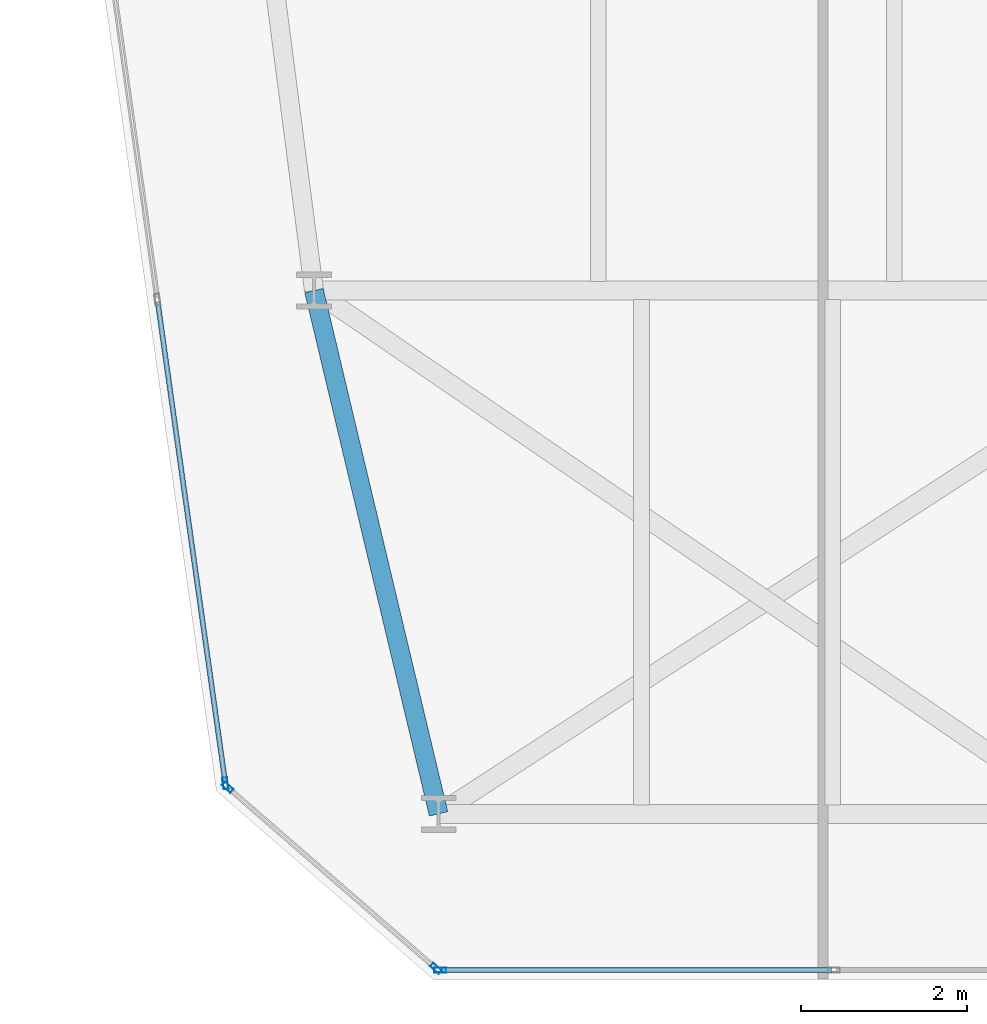
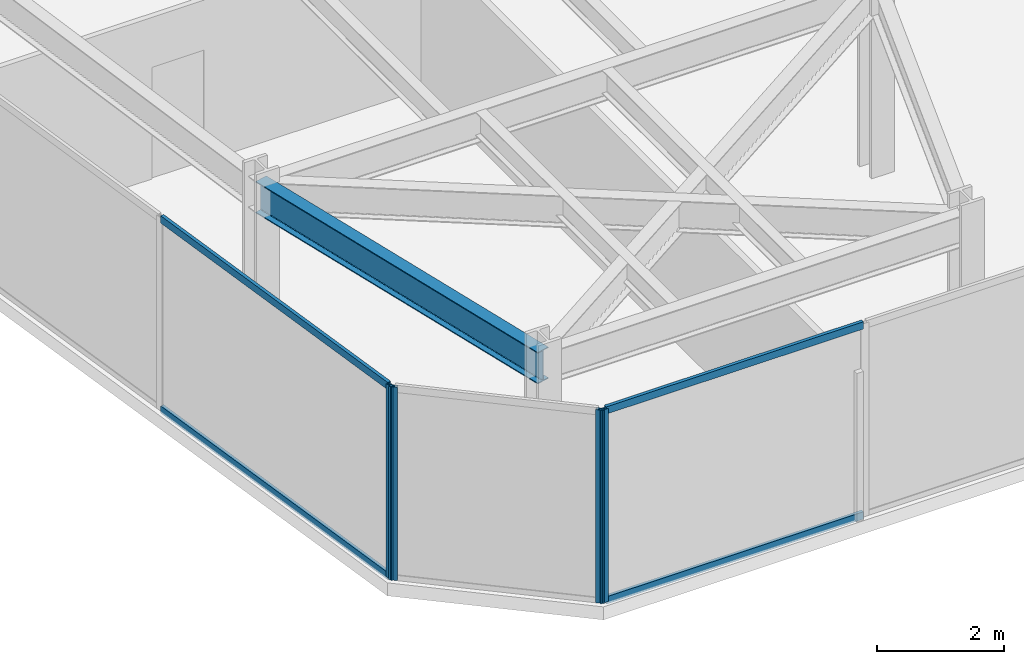
# One storey, part 2 of 26: 8 members, 1 beam, 3 elements without a shape of their own.
"""IFC4 building model written with IfcOpenShell, lengths in metres."""

from ifc_helpers import new_model, si_unit, direction, frame, origin, origin_2d, place, context, subcontext, project, spatial, hollow_rectangle, i_section, extrude, material, layer, layer_set, material_profile, profile_set, type_object, element, aggregate, save


model = new_model("IFC4")

# Units and contexts
model_context = context("Model", 3, precision=1e-05, world=origin(), true_north=direction((0.0, 1.0)))
body_context = subcontext(model_context, "Body", "Model", "MODEL_VIEW")
ifc_project = project(units=[si_unit("LENGTHUNIT", "METRE"), si_unit("AREAUNIT", "SQUARE_METRE"), si_unit("VOLUMEUNIT", "CUBIC_METRE"), si_unit("PLANEANGLEUNIT", "RADIAN"), si_unit("MASSUNIT", "GRAM", prefix="KILO")], contexts=[model_context])

# Site, building, storey
site_placement = place(None, origin())
site = spatial("IfcSite", under=ifc_project, at=site_placement, CompositionType="ELEMENT")
building_placement = place(site_placement, origin())
building = spatial("IfcBuilding", under=site, at=building_placement, Name="Kravanh Interchange Tower", CompositionType="ELEMENT")
storey_placement = place(building_placement, frame((0.0, 0.0, 152.0)))
storey = spatial("IfcBuildingStorey", under=building, at=storey_placement, Name="L36", CompositionType="ELEMENT", Elevation=152.0)

# Curtain wall, member
ifc_material_1 = material(Name="Anodised Bronze Aluminium", Category="aluminium")
ifc_layer = layer(ifc_material_1, 0.179931640625)
ifc_layer_set = layer_set([ifc_layer], Name="Unitised Curtain Wall System CW-Z2 Mid Office")
curtain_wall_type = type_object("IfcCurtainWallType", Name="Unitised Curtain Wall System CW-Z2 Mid Office", PredefinedType="NOTDEFINED", material=ifc_layer_set)
curtain_wall_1_placement = place(storey_placement, origin())
curtain_wall_1 = element("IfcCurtainWall", 1, at=curtain_wall_1_placement, inside=storey, type_object=curtain_wall_type, Name="L36 Unitised Curtain Wall CW-L36-01", PredefinedType="NOTDEFINED")
ifc_material_2 = material(Name="Anodised Bronze Aluminium", Category="aluminium")
ifc_material_profile_1 = material_profile(ifc_material_2, hollow_rectangle(XDim=0.06005859375, YDim=0.139892578125, WallThickness=0.00390625, at=origin_2d()), Name="ALU60X140X4")
ifc_profile_set_1 = profile_set([ifc_material_profile_1], Name="Anodised Bronze Aluminium")
member_type_1 = type_object("IfcMemberType", Name="Curtain Wall Mullion ALU60X140X4 Bronze", PredefinedType="MULLION", material=ifc_profile_set_1)
member_1_placement = place(storey_placement, frame((14.93310546875, 8.568359375, 0.0), z_axis=(0.0, 0.0, 1.0), x_axis=(-0.990268103846, -0.13917285118, 0.0)))
member_1 = element("IfcMember", 2, at=member_1_placement, type_object=member_type_1, Name="CW-Z2 mullion 1", PredefinedType="MULLION", context=body_context, shape_type="SweptSolid", body=[
    extrude(hollow_rectangle(XDim=0.06005859375, YDim=0.139892578125, WallThickness=0.00390625, at=origin_2d()), origin(), (0.0, 0.0, 1.0), 3.719970703125),
])

curtain_wall_2_placement = place(storey_placement, origin())
curtain_wall_2 = element("IfcCurtainWall", 3, at=curtain_wall_2_placement, inside=storey, type_object=curtain_wall_type, Name="L36 Unitised Curtain Wall CW-L36-06", PredefinedType="NOTDEFINED")
member_2_placement = place(storey_placement, frame((17.519775390625, 6.320068359375, 0.0), z_axis=(0.0, 0.0, 1.0), x_axis=(0.0, -1.0, 0.0)))
member_2 = element("IfcMember", 4, at=member_2_placement, type_object=member_type_1, Name="CW-Z2 mullion 3", PredefinedType="MULLION", context=body_context, shape_type="SweptSolid", body=[
    extrude(hollow_rectangle(XDim=0.06005859375, YDim=0.139892578125, WallThickness=0.00390625, at=origin_2d()), origin(), (0.0, 0.0, 1.0), 3.719970703125),
])

# Curtain wall, members
curtain_wall_3_placement = place(storey_placement, origin())
curtain_wall_3 = element("IfcCurtainWall", 5, at=curtain_wall_3_placement, inside=storey, type_object=curtain_wall_type, Name="L36 Unitised Curtain Wall CW-L36-07", PredefinedType="NOTDEFINED")
member_3_placement = place(storey_placement, frame((17.467041015625, 6.339599609375, 0.0), z_axis=(0.0, 0.0, 1.0), x_axis=(-0.656047665617, -0.754719458103, 0.0)))
member_3 = element("IfcMember", 6, at=member_3_placement, type_object=member_type_1, Name="CW-Z2 mullion 1", PredefinedType="MULLION", context=body_context, shape_type="SweptSolid", body=[
    extrude(hollow_rectangle(XDim=0.06005859375, YDim=0.139892578125, WallThickness=0.00390625, at=origin_2d()), origin(), (0.0, 0.0, 1.0), 3.719970703125),
])
member_4_placement = place(storey_placement, frame((14.9599609375, 8.51904296875, 0.0), z_axis=(0.0, 0.0, 1.0), x_axis=(-0.656047665617, -0.754719458103, 0.0)))
member_4 = element("IfcMember", 7, at=member_4_placement, type_object=member_type_1, Name="CW-Z2 mullion 2", PredefinedType="MULLION", context=body_context, shape_type="SweptSolid", body=[
    extrude(hollow_rectangle(XDim=0.06005859375, YDim=0.139892578125, WallThickness=0.00390625, at=origin_2d()), origin(), (0.0, 0.0, 1.0), 3.719970703125),
])
aggregate(curtain_wall_3, [member_3, member_4])

# Member
ifc_material_3 = material(Name="Anodised Bronze Aluminium", Category="aluminium")
ifc_material_profile_2 = material_profile(ifc_material_3, hollow_rectangle(XDim=0.06005859375, YDim=0.139892578125, WallThickness=0.00390625, at=origin_2d()), Name="ALU60X140X4")
ifc_profile_set_2 = profile_set([ifc_material_profile_2], Name="Anodised Bronze Aluminium")
member_type_2 = type_object("IfcMemberType", Name="Curtain Wall Transom ALU60X140X4 Bronze", PredefinedType="USERDEFINED", material=ifc_profile_set_2)
member_5_placement = place(storey_placement, frame((14.928955078125, 8.59814453125, 0.030029296875), z_axis=(-0.139148132783, 0.990271577469, 0.0), x_axis=(-0.990271577469, -0.139148132783, 0.0)))
member_5 = element("IfcMember", 8, at=member_5_placement, type_object=member_type_2, Name="CW-Z2 transom 1.1", ObjectType="TRANSOM", PredefinedType="USERDEFINED", context=body_context, shape_type="SweptSolid", body=[
    extrude(hollow_rectangle(XDim=0.06005859375, YDim=0.139892578125, WallThickness=0.00390625, at=origin_2d()), origin(), (0.0, 0.0, 1.0), 5.81982421875),
])

member_6_placement = place(storey_placement, frame((14.928955078125, 8.59814453125, 3.68994140625), z_axis=(-0.139148132783, 0.990271577469, 0.0), x_axis=(-0.990271577469, -0.139148132783, 0.0)))
member_6 = element("IfcMember", 9, at=member_6_placement, type_object=member_type_2, Name="CW-Z2 transom 1.2", ObjectType="TRANSOM", PredefinedType="USERDEFINED", context=body_context, shape_type="SweptSolid", body=[
    extrude(hollow_rectangle(XDim=0.06005859375, YDim=0.139892578125, WallThickness=0.00390625, at=origin_2d()), origin(), (0.0, 0.0, 1.0), 5.81982421875),
])

aggregate(curtain_wall_1, [member_1, member_5, member_6])

member_7_placement = place(storey_placement, frame((22.232177734375, 6.320068359375, 0.030029296875), z_axis=(-1.0, 0.0, 0.0), x_axis=(0.0, -1.0, 0.0)))
member_7 = element("IfcMember", 10, at=member_7_placement, type_object=member_type_2, Name="CW-Z2 transom 2.1", ObjectType="TRANSOM", PredefinedType="USERDEFINED", context=body_context, shape_type="SweptSolid", body=[
    extrude(hollow_rectangle(XDim=0.06005859375, YDim=0.139892578125, WallThickness=0.00390625, at=origin_2d()), origin(), (0.0, 0.0, 1.0), 4.682373046875),
])

member_8_placement = place(storey_placement, frame((22.232177734375, 6.320068359375, 3.68994140625), z_axis=(-1.0, 0.0, 0.0), x_axis=(0.0, -1.0, 0.0)))
member_8 = element("IfcMember", 11, at=member_8_placement, type_object=member_type_2, Name="CW-Z2 transom 2.2", ObjectType="TRANSOM", PredefinedType="USERDEFINED", context=body_context, shape_type="SweptSolid", body=[
    extrude(hollow_rectangle(XDim=0.06005859375, YDim=0.139892578125, WallThickness=0.00390625, at=origin_2d()), origin(), (0.0, 0.0, 1.0), 4.682373046875),
])

aggregate(curtain_wall_2, [member_2, member_7, member_8])

# Beam
ifc_material_4 = material(Name="Structural Steel S355", Category="steel")
ifc_material_profile_3 = material_profile(ifc_material_4, i_section(OverallWidth=0.22802734375, OverallDepth=0.60791015625, WebThickness=0.01123046875, FlangeThickness=0.017333984375, FilletRadius=0.02197265625, at=origin_2d()), Name="W24X76")
ifc_profile_set_3 = profile_set([ifc_material_profile_3], Name="Structural Steel S355")
beam_type = type_object("IfcBeamType", Name="Floor Spandrel W24X76 Structural Steel S355", PredefinedType="SPANDREL", material=ifc_profile_set_3)
beam_placement = place(storey_placement, frame((17.5, 8.199951171875, 3.416015625), z_axis=(-0.231618828452, 0.972806619173, 0.0), x_axis=(-0.972806619173, -0.231618828452, 0.0)))
element("IfcBeam", 12, at=beam_placement, inside=storey, type_object=beam_type, Name="L36 Perimeter Spandrel 34", PredefinedType="SPANDREL", context=body_context, shape_type="SweptSolid", body=[
    extrude(i_section(OverallWidth=0.22802734375, OverallDepth=0.60791015625, WebThickness=0.01123046875, FlangeThickness=0.017333984375, FilletRadius=0.02197265625, at=origin_2d()), origin(), (0.0, 0.0, 1.0), 6.47607421875),
])

save(model, "model.ifc")
